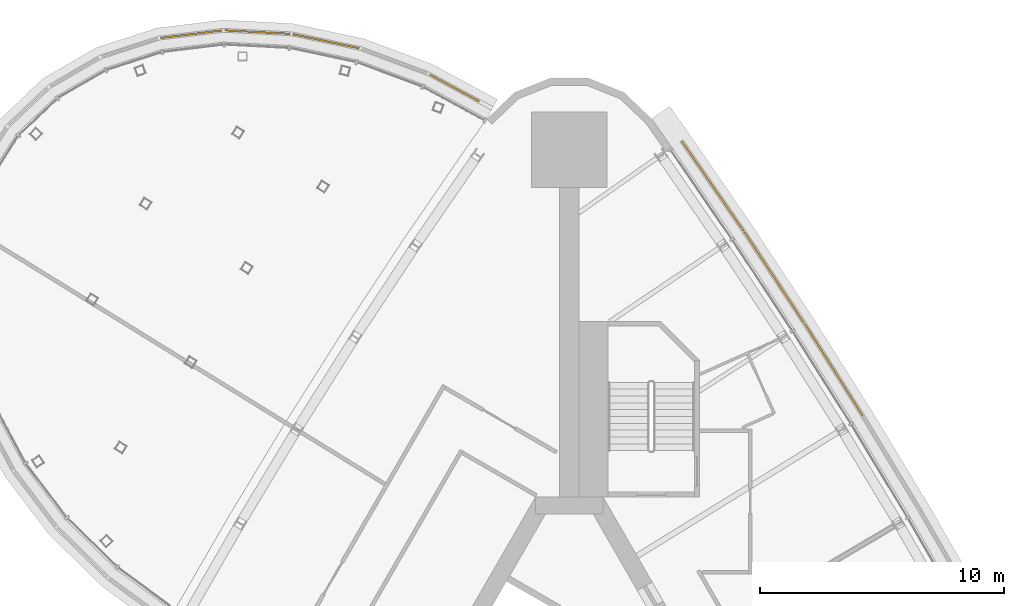
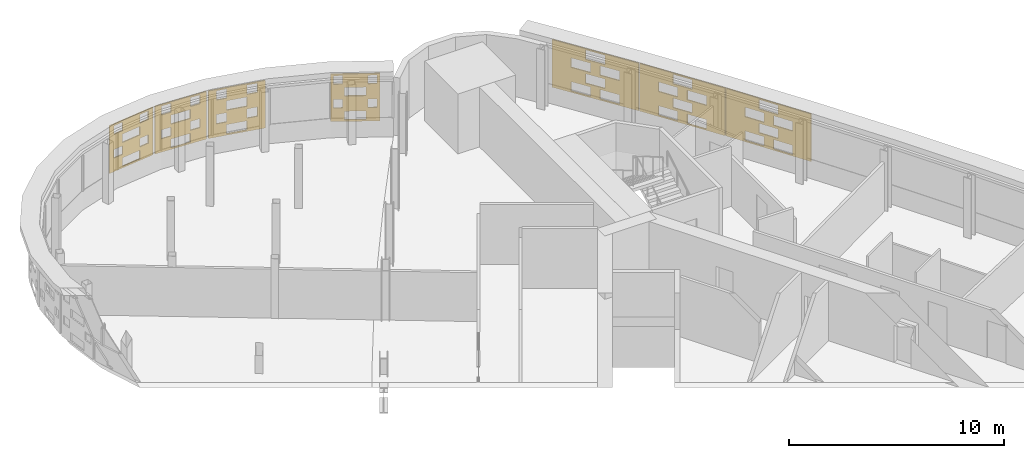
# One storey, part 16 of 16: 7 shading devices.
"""IFC4 building model written with IfcOpenShell, lengths in metres."""

from ifc_helpers import new_model, si_unit, direction, frame, origin, place, context, subcontext, project, spatial, polyline, outline, extrude, material, layer, layer_set, material_profile, profile_set, type_object, element, save


model = new_model("IFC4")

# Units and contexts
model_context = context("Model", 3, precision=1e-05, world=origin(), true_north=direction((0.0, 1.0)))
body_context = subcontext(model_context, "Body", "Model", "MODEL_VIEW")
ifc_project = project(units=[si_unit("LENGTHUNIT", "METRE"), si_unit("AREAUNIT", "SQUARE_METRE"), si_unit("VOLUMEUNIT", "CUBIC_METRE"), si_unit("PLANEANGLEUNIT", "RADIAN"), si_unit("MASSUNIT", "GRAM", prefix="KILO")], contexts=[model_context])

# Site, building, storey
site_placement = place(None, origin())
site = spatial("IfcSite", under=ifc_project, at=site_placement, CompositionType="ELEMENT")
building_placement = place(site_placement, origin())
building = spatial("IfcBuilding", under=site, at=building_placement, Name="Noor Cloister Tower", CompositionType="ELEMENT")
storey_placement = place(building_placement, frame((0.0, 0.0, 91.5)))
storey = spatial("IfcBuildingStorey", under=building, at=storey_placement, Name="L23", CompositionType="ELEMENT", Elevation=91.5)

# Shading devices
ifc_material_1 = material(Name="Limestone", Category="masonry")
ifc_material_profile = material_profile(ifc_material_1, outline(polyline([(-2.22998046875, -1.35009765625), (2.22998046875, -1.35009765625), (2.22998046875, 1.35009765625), (-2.22998046875, 1.35009765625), (-2.22998046875, -1.35009765625)]), holes=[polyline([(-1.25, -1.282470703125), (-0.25, -1.282470703125), (-0.25, -0.742431640625), (-1.25, -0.742431640625), (-1.25, -1.282470703125)]), polyline([(0.25, -1.282470703125), (1.25, -1.282470703125), (1.25, -0.742431640625), (0.25, -0.742431640625), (0.25, -1.282470703125)]), polyline([(-0.5, -0.607421875), (0.5, -0.607421875), (0.5, -0.0673828125), (-0.5, -0.0673828125), (-0.5, -0.607421875)]), polyline([(-1.25, 0.0673828125), (-0.25, 0.0673828125), (-0.25, 0.607421875), (-1.25, 0.607421875), (-1.25, 0.0673828125)]), polyline([(0.25, 0.0673828125), (1.25, 0.0673828125), (1.25, 0.607421875), (0.25, 0.607421875), (0.25, 0.0673828125)]), polyline([(-0.5, 0.742431640625), (0.5, 0.742431640625), (0.5, 1.282470703125), (-0.5, 1.282470703125), (-0.5, 0.742431640625)])]), Name="Woven screen 28 percent open")
ifc_profile_set = profile_set([ifc_material_profile], Name="Limestone")
shading_device_type_1 = type_object("IfcShadingDeviceType", Name="SCREEN woven limestone 28 percent open", PredefinedType="USERDEFINED", material=ifc_profile_set)
for number, where, z_axis, x_axis, name in (
    (1, (10.8115234375, 16.651611328125, 1.85009765625), (0.846164898331, 0.53292116193, 0.0), (-0.53292116193, 0.846164898331, 0.0), "SCREEN L23 7"),
    (2, (8.367919921875, 20.440673828125, 1.85009765625), (0.836396944636, 0.548124211291, 0.0), (-0.548124211291, 0.836396944636, 0.0), "SCREEN L23 8"),
):
    element("IfcShadingDevice", number, at=place(storey_placement, frame(where, z_axis=z_axis, x_axis=x_axis)), inside=storey, type_object=shading_device_type_1, Name=name, ObjectType="SCREEN", PredefinedType="USERDEFINED", context=body_context, shape_type="SweptSolid", body=[
        extrude(outline(polyline([(-2.22998046875, -1.35009765625), (2.22998046875, -1.35009765625), (2.22998046875, 1.35009765625), (-2.22998046875, 1.35009765625), (-2.22998046875, -1.35009765625)]), holes=[polyline([(-1.25, -1.282470703125), (-0.25, -1.282470703125), (-0.25, -0.742431640625), (-1.25, -0.742431640625), (-1.25, -1.282470703125)]), polyline([(0.25, -1.282470703125), (1.25, -1.282470703125), (1.25, -0.742431640625), (0.25, -0.742431640625), (0.25, -1.282470703125)]), polyline([(-0.5, -0.607421875), (0.5, -0.607421875), (0.5, -0.0673828125), (-0.5, -0.0673828125), (-0.5, -0.607421875)]), polyline([(-1.25, 0.0673828125), (-0.25, 0.0673828125), (-0.25, 0.607421875), (-1.25, 0.607421875), (-1.25, 0.0673828125)]), polyline([(0.25, 0.0673828125), (1.25, 0.0673828125), (1.25, 0.607421875), (0.25, 0.607421875), (0.25, 0.0673828125)]), polyline([(-0.5, 0.742431640625), (0.5, 0.742431640625), (0.5, 1.282470703125), (-0.5, 1.282470703125), (-0.5, 0.742431640625)])]), origin(), (0.0, 0.0, 1.0), 0.06005859375),
    ])
shading_device_1_placement = place(storey_placement, frame((5.850341796875, 24.1806640625, 1.85009765625), z_axis=(0.823803864189, 0.566874936249, 0.0), x_axis=(-0.566874936249, 0.823803864189, 0.0)))
element("IfcShadingDevice", 3, at=shading_device_1_placement, inside=storey, type_object=shading_device_type_1, Name="SCREEN L23 9", ObjectType="SCREEN", PredefinedType="USERDEFINED", context=body_context, shape_type="SweptSolid", body=[
    extrude(outline(polyline([(-2.22998046875, -1.35009765625), (2.22998046875, -1.35009765625), (2.22998046875, 1.35009765625), (-2.22998046875, 1.35009765625), (-2.22998046875, -1.35009765625)]), holes=[polyline([(-1.25, -1.282470703125), (-0.25, -1.282470703125), (-0.25, -0.742431640625), (-1.25, -0.742431640625), (-1.25, -1.282470703125)]), polyline([(0.25, -1.282470703125), (1.25, -1.282470703125), (1.25, -0.742431640625), (0.25, -0.742431640625), (0.25, -1.282470703125)]), polyline([(-0.5, -0.607421875), (0.5, -0.607421875), (0.5, -0.0673828125), (-0.5, -0.0673828125), (-0.5, -0.607421875)]), polyline([(-1.25, 0.0673828125), (-0.25, 0.0673828125), (-0.25, 0.607421875), (-1.25, 0.607421875), (-1.25, 0.0673828125)]), polyline([(0.25, 0.0673828125), (1.25, 0.0673828125), (1.25, 0.607421875), (0.25, 0.607421875), (0.25, 0.0673828125)]), polyline([(-0.5, 0.742431640625), (0.5, 0.742431640625), (0.5, 1.282470703125), (-0.5, 1.282470703125), (-0.5, 0.742431640625)])]), origin(), (0.0, 0.0, 1.0), 0.059814453125),
])
ifc_material_2 = material(Name="Limestone", Category="masonry")
ifc_layer = layer(ifc_material_2, 0.06005859375)
ifc_layer_set = layer_set([ifc_layer], Name="SCREEN woven limestone pod 28 percent open")
shading_device_type_2 = type_object("IfcShadingDeviceType", Name="SCREEN woven limestone pod 28 percent open", PredefinedType="USERDEFINED", material=ifc_layer_set)
shading_device_2_placement = place(storey_placement, frame((-4.719970703125, 28.19384765625, 1.85009765625), z_axis=(0.476283148541, 0.879291966537, 0.0), x_axis=(-0.879291966537, 0.476283148541, 0.0)))
element("IfcShadingDevice", 4, at=shading_device_2_placement, inside=storey, type_object=shading_device_type_2, Name="SCREEN L23 1", ObjectType="SCREEN", PredefinedType="USERDEFINED", context=body_context, shape_type="SweptSolid", body=[
    extrude(outline(polyline([(-1.153564453125, -1.35009765625), (1.153564453125, -1.35009765625), (1.153564453125, 1.35009765625), (-1.153564453125, 1.35009765625), (-1.153564453125, -1.35009765625)]), holes=[polyline([(-0.5, -1.25390625), (0.5, -1.25390625), (0.5, -0.771240234375), (-0.5, -0.771240234375), (-0.5, -1.25390625)]), polyline([(0.60009765625, -0.578857421875), (1.00341796875, -0.578857421875), (1.00341796875, -0.09619140625), (0.60009765625, -0.09619140625), (0.60009765625, -0.578857421875)]), polyline([(-1.00341796875, -0.578857421875), (-0.60009765625, -0.578857421875), (-0.60009765625, -0.09619140625), (-1.00341796875, -0.09619140625), (-1.00341796875, -0.578857421875)]), polyline([(-0.5, 0.09619140625), (0.5, 0.09619140625), (0.5, 0.578857421875), (-0.5, 0.578857421875), (-0.5, 0.09619140625)]), polyline([(0.60009765625, 0.771240234375), (1.00341796875, 0.771240234375), (1.00341796875, 1.25390625), (0.60009765625, 1.25390625), (0.60009765625, 0.771240234375)]), polyline([(-1.00341796875, 0.771240234375), (-0.60009765625, 0.771240234375), (-0.60009765625, 1.25390625), (-1.00341796875, 1.25390625), (-1.00341796875, 0.771240234375)])]), origin(), (0.0, 0.0, 1.0), 0.06005859375),
])
shading_device_3_placement = place(storey_placement, frame((-9.97265625, 30.1044921875, 1.85009765625), z_axis=(0.207033313552, 0.978333893453, 0.0), x_axis=(-0.978333893453, 0.207033313552, 0.0)))
element("IfcShadingDevice", 5, at=shading_device_3_placement, inside=storey, type_object=shading_device_type_2, Name="SCREEN L23 3", ObjectType="SCREEN", PredefinedType="USERDEFINED", context=body_context, shape_type="SweptSolid", body=[
    extrude(outline(polyline([(-1.39013671875, -1.35009765625), (1.39013671875, -1.35009765625), (1.39013671875, 1.35009765625), (-1.39013671875, 1.35009765625), (-1.39013671875, -1.35009765625)]), holes=[polyline([(-0.5, -1.275146484375), (0.5, -1.275146484375), (0.5, -0.749755859375), (-0.5, -0.749755859375), (-0.5, -1.275146484375)]), polyline([(-1.0, -0.600341796875), (-0.5, -0.600341796875), (-0.5, -0.07470703125), (-1.0, -0.07470703125), (-1.0, -0.600341796875)]), polyline([(0.5, -0.600341796875), (1.0, -0.600341796875), (1.0, -0.07470703125), (0.5, -0.07470703125), (0.5, -0.600341796875)]), polyline([(-0.5, 0.07470703125), (0.5, 0.07470703125), (0.5, 0.600341796875), (-0.5, 0.600341796875), (-0.5, 0.07470703125)]), polyline([(-1.0, 0.749755859375), (-0.5, 0.749755859375), (-0.5, 1.275146484375), (-1.0, 1.275146484375), (-1.0, 0.749755859375)]), polyline([(0.5, 0.749755859375), (1.0, 0.749755859375), (1.0, 1.275146484375), (0.5, 1.275146484375), (0.5, 0.749755859375)])]), origin(), (0.0, 0.0, 1.0), 0.06005859375),
])
shading_device_4_placement = place(storey_placement, frame((-12.773193359375, 30.477783203125, 1.85009765625), z_axis=(0.052771893118, 0.998606592857, 0.0), x_axis=(-0.998606592857, 0.052771893118, 0.0)))
element("IfcShadingDevice", 6, at=shading_device_4_placement, inside=storey, type_object=shading_device_type_2, Name="SCREEN L23 4", ObjectType="SCREEN", PredefinedType="USERDEFINED", context=body_context, shape_type="SweptSolid", body=[
    extrude(outline(polyline([(-1.3330078125, -1.35009765625), (1.3330078125, -1.35009765625), (1.3330078125, 1.35009765625), (-1.3330078125, 1.35009765625), (-1.3330078125, -1.35009765625)]), holes=[polyline([(-0.5, -1.264404296875), (0.5, -1.264404296875), (0.5, -0.760498046875), (-0.5, -0.760498046875), (-0.5, -1.264404296875)]), polyline([(-1.0, -0.58935546875), (-0.5, -0.58935546875), (-0.5, -0.085693359375), (-1.0, -0.085693359375), (-1.0, -0.58935546875)]), polyline([(0.5, -0.58935546875), (1.0, -0.58935546875), (1.0, -0.085693359375), (0.5, -0.085693359375), (0.5, -0.58935546875)]), polyline([(-0.5, 0.085693359375), (0.5, 0.085693359375), (0.5, 0.58935546875), (-0.5, 0.58935546875), (-0.5, 0.085693359375)]), polyline([(-1.0, 0.760498046875), (-0.5, 0.760498046875), (-0.5, 1.264404296875), (-1.0, 1.264404296875), (-1.0, 0.760498046875)]), polyline([(0.5, 0.760498046875), (1.0, 0.760498046875), (1.0, 1.264404296875), (0.5, 1.264404296875), (0.5, 0.760498046875)])]), origin(), (0.0, 0.0, 1.0), 0.06005859375),
])
shading_device_5_placement = place(storey_placement, frame((-15.478759765625, 30.390625, 1.85009765625), z_axis=(-0.122031907108, 0.992526177815, 0.0), x_axis=(-0.992526177815, -0.122031907108, 0.0)))
element("IfcShadingDevice", 7, at=shading_device_5_placement, inside=storey, type_object=shading_device_type_2, Name="SCREEN L23 5", ObjectType="SCREEN", PredefinedType="USERDEFINED", context=body_context, shape_type="SweptSolid", body=[
    extrude(outline(polyline([(-1.266357421875, -1.35009765625), (1.266357421875, -1.35009765625), (1.266357421875, 1.35009765625), (-1.266357421875, 1.35009765625), (-1.266357421875, -1.35009765625)]), holes=[polyline([(-0.5, -1.251708984375), (0.5, -1.251708984375), (0.5, -0.773193359375), (-0.5, -0.773193359375), (-0.5, -1.251708984375)]), polyline([(-1.0, -0.576904296875), (-0.5, -0.576904296875), (-0.5, -0.09814453125), (-1.0, -0.09814453125), (-1.0, -0.576904296875)]), polyline([(0.5, -0.576904296875), (1.0, -0.576904296875), (1.0, -0.09814453125), (0.5, -0.09814453125), (0.5, -0.576904296875)]), polyline([(-0.5, 0.09814453125), (0.5, 0.09814453125), (0.5, 0.576904296875), (-0.5, 0.576904296875), (-0.5, 0.09814453125)]), polyline([(-1.0, 0.773193359375), (-0.5, 0.773193359375), (-0.5, 1.251708984375), (-1.0, 1.251708984375), (-1.0, 0.773193359375)]), polyline([(0.5, 0.773193359375), (1.0, 0.773193359375), (1.0, 1.251708984375), (0.5, 1.251708984375), (0.5, 0.773193359375)])]), origin(), (0.0, 0.0, 1.0), 0.06005859375),
])

save(model, "model.ifc")
